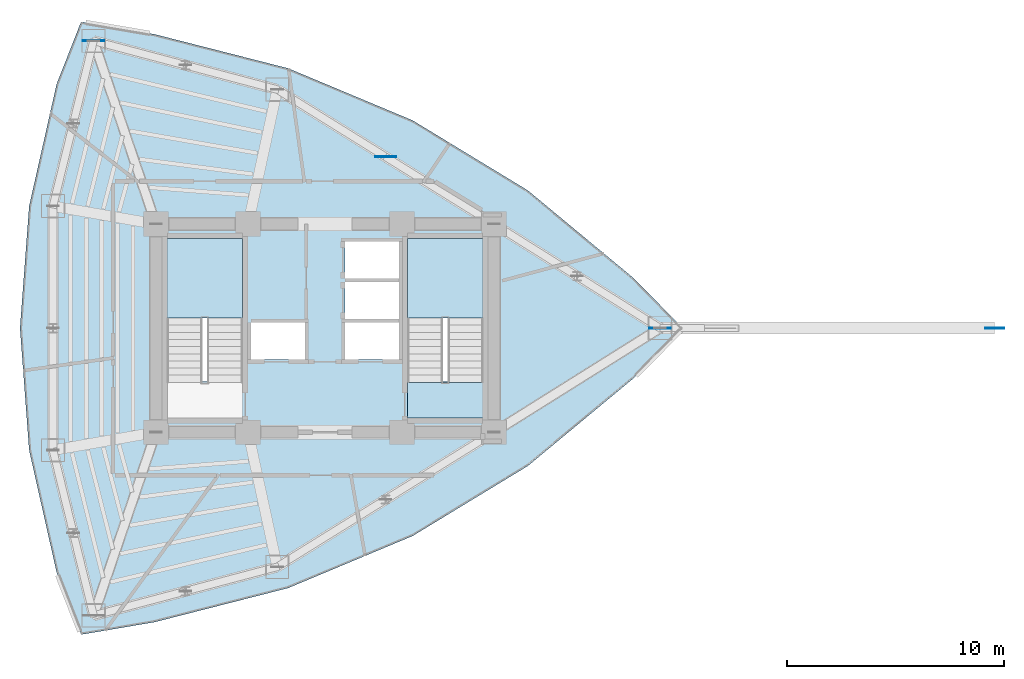
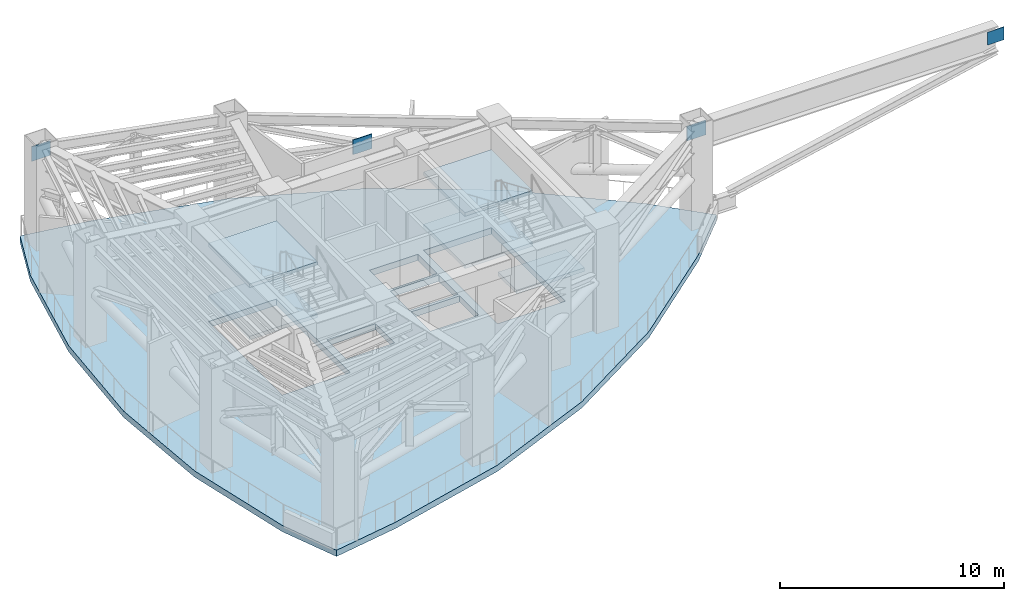
# One storey, part 4 of 8: 6 slabs, 4 plates, 2 elements without a shape of their own.
"""IFC4 building model written with IfcOpenShell, lengths in metres."""

from ifc_helpers import new_model, si_unit, direction, frame, origin, origin_2d, place, context, subcontext, project, spatial, polyline, rectangle, outline, extrude, material, layer, layer_set, type_object, element, aggregate, save


model = new_model("IFC4")

# Units and contexts
model_context = context("Model", 3, precision=1e-05, world=origin(), true_north=direction((0.0, 1.0)))
body_context = subcontext(model_context, "Body", "Model", "MODEL_VIEW")
ifc_project = project(units=[si_unit("LENGTHUNIT", "METRE"), si_unit("AREAUNIT", "SQUARE_METRE"), si_unit("VOLUMEUNIT", "CUBIC_METRE"), si_unit("PLANEANGLEUNIT", "RADIAN"), si_unit("MASSUNIT", "GRAM", prefix="KILO")], contexts=[model_context])

# Site, building, storey
site_placement = place(None, origin())
site = spatial("IfcSite", under=ifc_project, at=site_placement, CompositionType="ELEMENT")
building_placement = place(site_placement, origin())
building = spatial("IfcBuilding", under=site, at=building_placement, Name="Menara Vayukalpa", CompositionType="ELEMENT")
storey_placement = place(building_placement, frame((0.0, 0.0, 148.6201171875)))
storey = spatial("IfcBuildingStorey", under=building, at=storey_placement, Name="L37", CompositionType="ELEMENT", Elevation=148.6201171875)

# Plates
ifc_material_1 = material(Name="Steel S355", Category="steel")
ifc_layer_1 = layer(ifc_material_1, 0.0380859375)
ifc_layer_set_1 = layer_set([ifc_layer_1], Name="Steel S355")
plate_type_1 = type_object("IfcPlateType", Name="PLT-OTN2", PredefinedType="USERDEFINED", material=ifc_layer_set_1)
for number, where, z_axis, x_axis, name in (
    (1, (41.05908203125, 22.0, 4.56982421875), (0.0, 0.0, 1.0), (1.0, 0.0, 0.0), "L37 Outrigger Gusset Plate 01"),
    (2, (14.92041015625, 35.260498046875, 4.56982421875), (0.0, 0.0, 1.0), (1.0, 0.0, 0.0), "L37 Outrigger Gusset Plate 04"),
    (3, (28.3984375, 29.906005859375, 3.4599609375), (0.0, 0.0, 1.0), (1.0, 0.0, 0.0), "L37 Belt X-Brace Crossing Gusset Plate 02"),
):
    element("IfcPlate", number, at=place(storey_placement, frame(where, z_axis=z_axis, x_axis=x_axis)), inside=storey, type_object=plate_type_1, Name=name, ObjectType="GUSSET_PLATE", PredefinedType="USERDEFINED", context=body_context, shape_type="SweptSolid", body=[
        extrude(rectangle(XDim=0.97998046875, YDim=0.0380859375, at=origin_2d()), origin(), (0.0, 0.0, 1.0), 0.800048828125),
    ])
ifc_material_2 = material(Name="Steel S355", Category="steel")
ifc_layer_2 = layer(ifc_material_2, 0.031982421875)
ifc_layer_set_2 = layer_set([ifc_layer_2], Name="Steel S355")
plate_type_2 = type_object("IfcPlateType", Name="PLT-SBN1", PredefinedType="USERDEFINED", material=ifc_layer_set_2)
plate_placement = place(storey_placement, frame((56.501953125, 22.0, 4.3701171875), z_axis=(0.0, 0.0, 1.0), x_axis=(1.0, 0.0, 0.0)))
element("IfcPlate", 4, at=plate_placement, inside=storey, type_object=plate_type_2, Name="L37 SB3 Support Node Gusset Plate 01", ObjectType="GUSSET_PLATE", PredefinedType="USERDEFINED", context=body_context, shape_type="SweptSolid", body=[
    extrude(rectangle(XDim=0.860107421875, YDim=0.031982421875, at=origin_2d()), origin(), (0.0, 0.0, 1.0), 0.699951171875),
])

# Slab
ifc_material_3 = material(Name="Concrete C45/55", Category="concrete")
ifc_layer_3 = layer(ifc_material_3, 0.340087890625)
ifc_layer_set_3 = layer_set([ifc_layer_3], Name="Concrete C45/55")
slab_type_1 = type_object("IfcSlabType", Name="SLB-FL340", PredefinedType="FLOOR", material=ifc_layer_set_3)
slab_1_placement = place(storey_placement, frame((0.0, 0.0, -0.340087890625)))
element("IfcSlab", 5, at=slab_1_placement, inside=storey, type_object=slab_type_1, Name="L37 Structural Floor Slab", PredefinedType="FLOOR", context=body_context, shape_type="SweptSolid", body=[
    extrude(outline(polyline([(39.8505859375, 19.69970703125), (42.109130859375, 22.0), (39.8505859375, 24.30029296875), (34.954833984375, 28.3603515625), (29.63671875, 31.591064453125), (23.89599609375, 33.9921875), (17.733154296875, 35.56396484375), (14.345458984375, 36.13916015625), (13.21630859375, 33.263671875), (11.94921875, 27.6318359375), (11.526611328125, 22.0), (11.94921875, 16.3681640625), (13.21630859375, 10.736328125), (14.345458984375, 7.86083984375), (17.733154296875, 8.43603515625), (23.89599609375, 10.0078125), (29.63671875, 12.408935546875), (34.954833984375, 15.6396484375), (39.8505859375, 19.69970703125)]), holes=[polyline([(21.800048828125, 19.550048828125), (21.800048828125, 26.14990234375), (18.300048828125, 26.14990234375), (18.300048828125, 19.550048828125), (21.800048828125, 19.550048828125)]), polyline([(32.89990234375, 19.550048828125), (32.89990234375, 26.14990234375), (29.39990234375, 26.14990234375), (29.39990234375, 19.550048828125), (32.89990234375, 19.550048828125)]), polyline([(22.179931640625, 20.550048828125), (24.679931640625, 20.550048828125), (24.679931640625, 22.27001953125), (22.179931640625, 22.27001953125), (22.179931640625, 20.550048828125)]), polyline([(26.52001953125, 20.550048828125), (29.02001953125, 20.550048828125), (29.02001953125, 22.27001953125), (26.52001953125, 22.27001953125), (26.52001953125, 20.550048828125)]), polyline([(26.52001953125, 24.2900390625), (29.02001953125, 24.2900390625), (29.02001953125, 26.010009765625), (26.52001953125, 26.010009765625), (26.52001953125, 24.2900390625)]), polyline([(26.52001953125, 22.419921875), (29.02001953125, 22.419921875), (29.02001953125, 24.139892578125), (26.52001953125, 24.139892578125), (26.52001953125, 22.419921875)])]), origin(), (0.0, 0.0, 1.0), 0.340087890625),
])

# Stair, slabs
ifc_material_4 = material(Name="Precast Concrete C40/50", Category="concrete")
stair_type = type_object("IfcStairType", Name="STR-T05", PredefinedType="DOUBLE_RETURN_STAIR", material=ifc_material_4)
stair_1_placement = place(storey_placement, origin())
stair_1 = element("IfcStair", 6, at=stair_1_placement, inside=storey, type_object=stair_type, Name="L37 Core Exit Stair ST-1", PredefinedType="DOUBLE_RETURN_STAIR")
ifc_material_5 = material(Name="Precast Concrete C40/50", Category="concrete")
ifc_layer_4 = layer(ifc_material_5, 0.199951171875)
ifc_layer_set_4 = layer_set([ifc_layer_4], Name="Precast Concrete C40/50")
slab_type_2 = type_object("IfcSlabType", Name="SLB-LND200", PredefinedType="LANDING", material=ifc_layer_set_4)
slab_2_placement = place(storey_placement, frame((0.0, 0.0, 1.224853515625)))
slab_2 = element("IfcSlab", 7, at=slab_2_placement, type_object=slab_type_2, Name="ST-1 landing 1", PredefinedType="LANDING", context=body_context, shape_type="SweptSolid", body=[
    extrude(outline(polyline([(21.800048828125, 22.469970703125), (21.800048828125, 26.14990234375), (18.300048828125, 26.14990234375), (18.300048828125, 22.469970703125), (21.800048828125, 22.469970703125)])), origin(), (0.0, 0.0, 1.0), 0.199951171875),
])
slab_3_placement = place(storey_placement, frame((0.0, 0.0, 4.074951171875)))
slab_3 = element("IfcSlab", 8, at=slab_3_placement, type_object=slab_type_2, Name="ST-1 landing 3", PredefinedType="LANDING", context=body_context, shape_type="SweptSolid", body=[
    extrude(outline(polyline([(21.800048828125, 22.469970703125), (21.800048828125, 26.14990234375), (18.300048828125, 26.14990234375), (18.300048828125, 22.469970703125), (21.800048828125, 22.469970703125)])), origin(), (0.0, 0.0, 1.0), 0.199951171875),
])
aggregate(stair_1, [slab_2, slab_3])

stair_2_placement = place(storey_placement, origin())
stair_2 = element("IfcStair", 9, at=stair_2_placement, inside=storey, type_object=stair_type, Name="L37 Core Exit Stair ST-2", PredefinedType="DOUBLE_RETURN_STAIR")
slab_4_placement = place(storey_placement, frame((0.0, 0.0, 1.224853515625)))
slab_4 = element("IfcSlab", 10, at=slab_4_placement, type_object=slab_type_2, Name="ST-2 landing 1", PredefinedType="LANDING", context=body_context, shape_type="SweptSolid", body=[
    extrude(outline(polyline([(32.89990234375, 22.469970703125), (32.89990234375, 26.14990234375), (29.39990234375, 26.14990234375), (29.39990234375, 22.469970703125), (32.89990234375, 22.469970703125)])), origin(), (0.0, 0.0, 1.0), 0.199951171875),
])
slab_5_placement = place(storey_placement, frame((0.0, 0.0, 2.64990234375)))
slab_5 = element("IfcSlab", 11, at=slab_5_placement, type_object=slab_type_2, Name="ST-2 landing 2", PredefinedType="LANDING", context=body_context, shape_type="SweptSolid", body=[
    extrude(outline(polyline([(32.89990234375, 17.85009765625), (32.89990234375, 19.5), (29.39990234375, 19.5), (29.39990234375, 17.85009765625), (32.89990234375, 17.85009765625)])), origin(), (0.0, 0.0, 1.0), 0.199951171875),
])
slab_6_placement = place(storey_placement, frame((0.0, 0.0, 4.074951171875)))
slab_6 = element("IfcSlab", 12, at=slab_6_placement, type_object=slab_type_2, Name="ST-2 landing 3", PredefinedType="LANDING", context=body_context, shape_type="SweptSolid", body=[
    extrude(outline(polyline([(32.89990234375, 22.469970703125), (32.89990234375, 26.14990234375), (29.39990234375, 26.14990234375), (29.39990234375, 22.469970703125), (32.89990234375, 22.469970703125)])), origin(), (0.0, 0.0, 1.0), 0.199951171875),
])
aggregate(stair_2, [slab_4, slab_5, slab_6])

save(model, "model.ifc")
